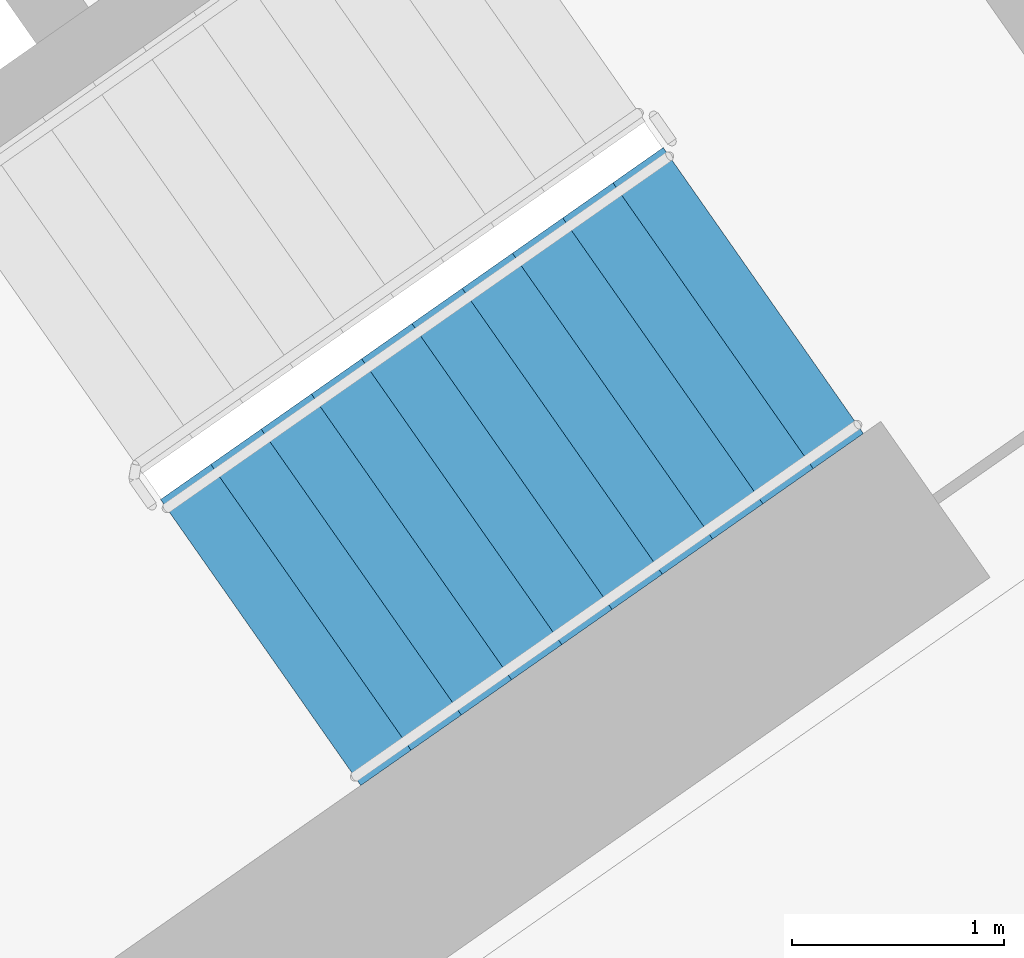
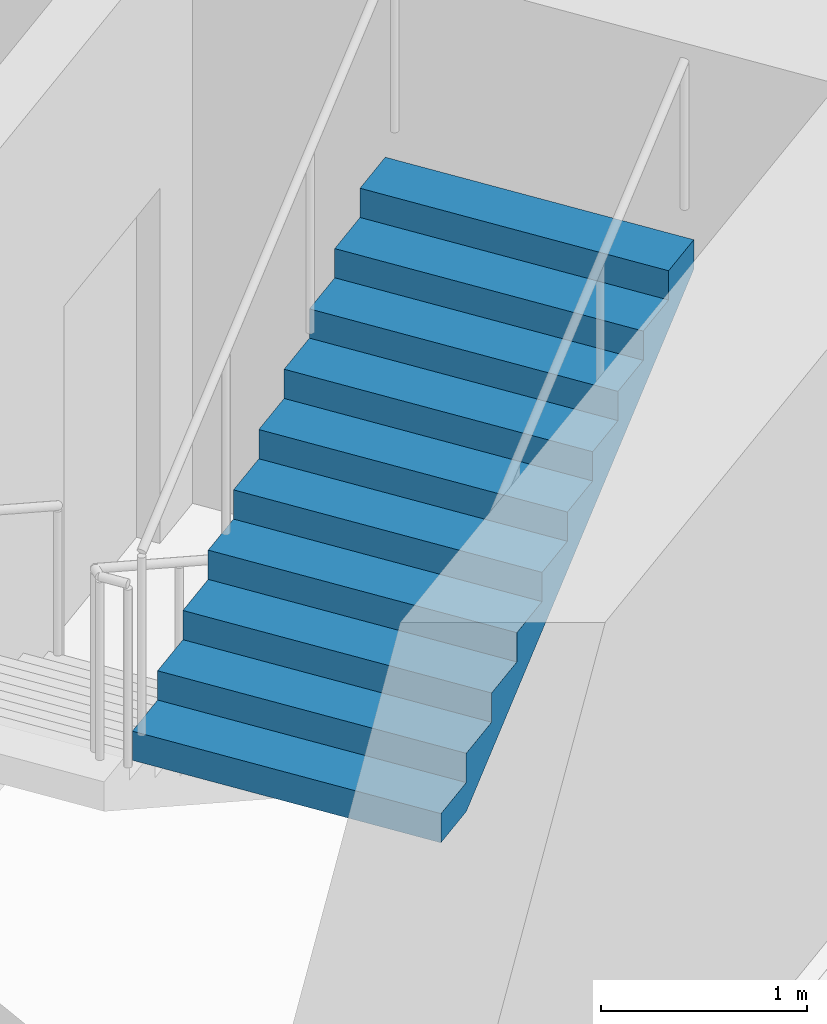
# One storey, part 15 of 31: 1 stair flight, 1 element without a shape of its own.
"""IFC4 building model written with IfcOpenShell, lengths in metres."""

from ifc_helpers import new_model, si_unit, direction, frame, origin, place, context, subcontext, project, spatial, faceted_brep, material, type_object, element, aggregate, save


model = new_model("IFC4")

# Units and contexts
model_context = context("Model", 3, precision=1e-05, world=origin(), true_north=direction((0.0, 1.0)))
body_context = subcontext(model_context, "Body", "Model", "MODEL_VIEW")
ifc_project = project(units=[si_unit("LENGTHUNIT", "METRE"), si_unit("AREAUNIT", "SQUARE_METRE"), si_unit("VOLUMEUNIT", "CUBIC_METRE"), si_unit("PLANEANGLEUNIT", "RADIAN"), si_unit("MASSUNIT", "GRAM", prefix="KILO")], contexts=[model_context])

# Site, building, storey
site_placement = place(None, origin())
site = spatial("IfcSite", under=ifc_project, at=site_placement, CompositionType="ELEMENT")
building_placement = place(site_placement, origin())
building = spatial("IfcBuilding", under=site, at=building_placement, Name="Qamariyya Broadcast Tower", CompositionType="ELEMENT")
storey_placement = place(building_placement, frame((0.0, 0.0, 82.300048828125)))
storey = spatial("IfcBuildingStorey", under=building, at=storey_placement, Name="L17", CompositionType="ELEMENT", Elevation=82.300048828125)

# Stair, stair flight
ifc_material = material(Name="Concrete C50/60", Category="concrete")
stair_type = type_object("IfcStairType", Name="Exit stair 22 risers of 173 mm", PredefinedType="HALF_TURN_STAIR", material=ifc_material)
stair_placement = place(storey_placement, origin())
stair = element("IfcStair", 1, at=stair_placement, inside=storey, type_object=stair_type, Name="L17 Stair E1", PredefinedType="HALF_TURN_STAIR")
stair_flight_type = type_object("IfcStairFlightType", Name="Exit stair flight 11 risers of 173 mm", PredefinedType="STRAIGHT", material=ifc_material)
stair_flight_placement = place(storey_placement, frame((44.693359375, -58.64599609375, 1.89990234375), z_axis=(0.0, 0.0, 1.0), x_axis=(0.819152044289, 0.573576436351, 0.0)))
stair_flight = element("IfcStairFlight", 2, at=stair_flight_placement, type_object=stair_flight_type, Name="ST-E1 flight 2", NumberOfRisers=11, NumberOfTreads=10, PredefinedType="STRAIGHT", RiserHeight=0.172727273, TreadLength=0.29, context=body_context, shape_type="Brep", body=[
    faceted_brep([(0.0, 0.824951171875, 0.0), (0.0, 0.824951171875, 0.172607421875), (0.2900390625, 0.824951171875, 0.172607421875), (0.2900390625, 0.824951171875, 0.345458984375), (0.580078125, 0.824951171875, 0.345458984375), (0.580078125, 0.824951171875, 0.51806640625), (0.8701171875, 0.824951171875, 0.51806640625), (0.8701171875, 0.824951171875, 0.69091796875), (1.159912109375, 0.824951171875, 0.69091796875), (1.159912109375, 0.824951171875, 0.863525390625), (1.449951171875, 0.824951171875, 0.863525390625), (1.449951171875, 0.824951171875, 1.036376953125), (1.739990234375, 0.824951171875, 1.036376953125), (1.739990234375, 0.824951171875, 1.208984375), (2.030029296875, 0.824951171875, 1.208984375), (2.030029296875, 0.824951171875, 1.3818359375), (2.320068359375, 0.824951171875, 1.3818359375), (2.320068359375, 0.824951171875, 1.554443359375), (2.610107421875, 0.824951171875, 1.554443359375), (2.610107421875, 0.824951171875, 1.727294921875), (2.89990234375, 0.824951171875, 1.727294921875), (2.89990234375, 0.824951171875, 1.552734375), (0.29296875, 0.824951171875, 0.0), (0.29296875, -0.824951171875, 0.0), (2.89990234375, -0.824951171875, 1.552734375), (2.89990234375, -0.824951171875, 1.727294921875), (2.610107421875, -0.824951171875, 1.727294921875), (2.610107421875, -0.824951171875, 1.554443359375), (2.320068359375, -0.824951171875, 1.554443359375), (2.320068359375, -0.824951171875, 1.3818359375), (2.030029296875, -0.824951171875, 1.3818359375), (2.030029296875, -0.824951171875, 1.208984375), (1.739990234375, -0.824951171875, 1.208984375), (1.739990234375, -0.824951171875, 1.036376953125), (1.449951171875, -0.824951171875, 1.036376953125), (1.449951171875, -0.824951171875, 0.863525390625), (1.159912109375, -0.824951171875, 0.863525390625), (1.159912109375, -0.824951171875, 0.69091796875), (0.8701171875, -0.824951171875, 0.69091796875), (0.8701171875, -0.824951171875, 0.51806640625), (0.580078125, -0.824951171875, 0.51806640625), (0.580078125, -0.824951171875, 0.345458984375), (0.2900390625, -0.824951171875, 0.345458984375), (0.2900390625, -0.824951171875, 0.172607421875), (0.0, -0.824951171875, 0.172607421875), (0.0, -0.824951171875, 0.0), (0.0, 0.10009765625, 0.0), (0.0, 0.086669921875, 0.0), (0.0, 0.0732421875, 0.0), (0.0, 0.06005859375, 0.0), (0.0, 0.046630859375, 0.0), (0.0, 0.033447265625, 0.0), (0.0, 0.02001953125, 0.0), (0.0, 0.006591796875, 0.0), (0.0, -0.006591796875, 0.0), (0.0, -0.02001953125, 0.0), (0.0, -0.033447265625, 0.0), (0.0, -0.046630859375, 0.0), (0.0, -0.06005859375, 0.0), (0.0, -0.0732421875, 0.0), (0.0, -0.086669921875, 0.0), (0.0, -0.10009765625, 0.0), (0.0, -0.10009765625, 0.172607421875), (0.0, -0.086669921875, 0.172607421875), (0.0, -0.0732421875, 0.172607421875), (0.0, -0.06005859375, 0.172607421875), (0.0, -0.046630859375, 0.172607421875), (0.0, -0.033447265625, 0.172607421875), (0.0, -0.02001953125, 0.172607421875), (0.0, -0.006591796875, 0.172607421875), (0.0, 0.006591796875, 0.172607421875), (0.0, 0.02001953125, 0.172607421875), (0.0, 0.033447265625, 0.172607421875), (0.0, 0.046630859375, 0.172607421875), (0.0, 0.06005859375, 0.172607421875), (0.0, 0.0732421875, 0.172607421875), (0.0, 0.086669921875, 0.172607421875), (0.0, 0.10009765625, 0.172607421875), (0.2900390625, -0.10009765625, 0.172607421875), (0.2900390625, -0.086669921875, 0.172607421875), (0.2900390625, -0.0732421875, 0.172607421875), (0.2900390625, -0.06005859375, 0.172607421875), (0.2900390625, -0.046630859375, 0.172607421875), (0.2900390625, -0.033447265625, 0.172607421875), (0.2900390625, -0.02001953125, 0.172607421875), (0.2900390625, -0.006591796875, 0.172607421875), (0.2900390625, 0.006591796875, 0.172607421875), (0.2900390625, 0.02001953125, 0.172607421875), (0.2900390625, 0.033447265625, 0.172607421875), (0.2900390625, 0.046630859375, 0.172607421875), (0.2900390625, 0.06005859375, 0.172607421875), (0.2900390625, 0.0732421875, 0.172607421875), (0.2900390625, 0.086669921875, 0.172607421875), (0.2900390625, 0.10009765625, 0.172607421875), (0.2900390625, -0.10009765625, 0.345458984375), (0.2900390625, -0.086669921875, 0.345458984375), (0.2900390625, -0.0732421875, 0.345458984375), (0.2900390625, -0.06005859375, 0.345458984375), (0.2900390625, -0.046630859375, 0.345458984375), (0.2900390625, -0.033447265625, 0.345458984375), (0.2900390625, -0.02001953125, 0.345458984375), (0.2900390625, -0.006591796875, 0.345458984375), (0.2900390625, 0.006591796875, 0.345458984375), (0.2900390625, 0.02001953125, 0.345458984375), (0.2900390625, 0.033447265625, 0.345458984375), (0.2900390625, 0.046630859375, 0.345458984375), (0.2900390625, 0.06005859375, 0.345458984375), (0.2900390625, 0.0732421875, 0.345458984375), (0.2900390625, 0.086669921875, 0.345458984375), (0.2900390625, 0.10009765625, 0.345458984375), (0.580078125, -0.10009765625, 0.345458984375), (0.580078125, -0.086669921875, 0.345458984375), (0.580078125, -0.0732421875, 0.345458984375), (0.580078125, -0.06005859375, 0.345458984375), (0.580078125, -0.046630859375, 0.345458984375), (0.580078125, -0.033447265625, 0.345458984375), (0.580078125, -0.02001953125, 0.345458984375), (0.580078125, -0.006591796875, 0.345458984375), (0.580078125, 0.006591796875, 0.345458984375), (0.580078125, 0.02001953125, 0.345458984375), (0.580078125, 0.033447265625, 0.345458984375), (0.580078125, 0.046630859375, 0.345458984375), (0.580078125, 0.06005859375, 0.345458984375), (0.580078125, 0.0732421875, 0.345458984375), (0.580078125, 0.086669921875, 0.345458984375), (0.580078125, 0.10009765625, 0.345458984375), (0.580078125, -0.10009765625, 0.51806640625), (0.580078125, -0.086669921875, 0.51806640625), (0.580078125, -0.0732421875, 0.51806640625), (0.580078125, -0.06005859375, 0.51806640625), (0.580078125, -0.046630859375, 0.51806640625), (0.580078125, -0.033447265625, 0.51806640625), (0.580078125, -0.02001953125, 0.51806640625), (0.580078125, -0.006591796875, 0.51806640625), (0.580078125, 0.006591796875, 0.51806640625), (0.580078125, 0.02001953125, 0.51806640625), (0.580078125, 0.033447265625, 0.51806640625), (0.580078125, 0.046630859375, 0.51806640625), (0.580078125, 0.06005859375, 0.51806640625), (0.580078125, 0.0732421875, 0.51806640625), (0.580078125, 0.086669921875, 0.51806640625), (0.580078125, 0.10009765625, 0.51806640625), (0.8701171875, -0.10009765625, 0.51806640625), (0.8701171875, -0.086669921875, 0.51806640625), (0.8701171875, -0.0732421875, 0.51806640625), (0.8701171875, -0.06005859375, 0.51806640625), (0.8701171875, -0.046630859375, 0.51806640625), (0.8701171875, -0.033447265625, 0.51806640625), (0.8701171875, -0.02001953125, 0.51806640625), (0.8701171875, -0.006591796875, 0.51806640625), (0.8701171875, 0.006591796875, 0.51806640625), (0.8701171875, 0.02001953125, 0.51806640625), (0.8701171875, 0.033447265625, 0.51806640625), (0.8701171875, 0.046630859375, 0.51806640625), (0.8701171875, 0.06005859375, 0.51806640625), (0.8701171875, 0.0732421875, 0.51806640625), (0.8701171875, 0.086669921875, 0.51806640625), (0.8701171875, 0.10009765625, 0.51806640625), (0.8701171875, -0.10009765625, 0.69091796875), (0.8701171875, -0.086669921875, 0.69091796875), (0.8701171875, -0.0732421875, 0.69091796875), (0.8701171875, -0.06005859375, 0.69091796875), (0.8701171875, -0.046630859375, 0.69091796875), (0.8701171875, -0.033447265625, 0.69091796875), (0.8701171875, -0.02001953125, 0.69091796875), (0.8701171875, -0.006591796875, 0.69091796875), (0.8701171875, 0.006591796875, 0.69091796875), (0.8701171875, 0.02001953125, 0.69091796875), (0.8701171875, 0.033447265625, 0.69091796875), (0.8701171875, 0.046630859375, 0.69091796875), (0.8701171875, 0.06005859375, 0.69091796875), (0.8701171875, 0.0732421875, 0.69091796875), (0.8701171875, 0.086669921875, 0.69091796875), (0.8701171875, 0.10009765625, 0.69091796875), (1.159912109375, -0.10009765625, 0.69091796875), (1.159912109375, -0.086669921875, 0.69091796875), (1.159912109375, -0.0732421875, 0.69091796875), (1.159912109375, -0.06005859375, 0.69091796875), (1.159912109375, -0.046630859375, 0.69091796875), (1.159912109375, -0.033447265625, 0.69091796875), (1.159912109375, -0.02001953125, 0.69091796875), (1.159912109375, -0.006591796875, 0.69091796875), (1.159912109375, 0.006591796875, 0.69091796875), (1.159912109375, 0.02001953125, 0.69091796875), (1.159912109375, 0.033447265625, 0.69091796875), (1.159912109375, 0.046630859375, 0.69091796875), (1.159912109375, 0.06005859375, 0.69091796875), (1.159912109375, 0.0732421875, 0.69091796875), (1.159912109375, 0.086669921875, 0.69091796875), (1.159912109375, 0.10009765625, 0.69091796875), (1.159912109375, -0.10009765625, 0.863525390625), (1.159912109375, -0.086669921875, 0.863525390625), (1.159912109375, -0.0732421875, 0.863525390625), (1.159912109375, -0.06005859375, 0.863525390625), (1.159912109375, -0.046630859375, 0.863525390625), (1.159912109375, -0.033447265625, 0.863525390625), (1.159912109375, -0.02001953125, 0.863525390625), (1.159912109375, -0.006591796875, 0.863525390625), (1.159912109375, 0.006591796875, 0.863525390625), (1.159912109375, 0.02001953125, 0.863525390625), (1.159912109375, 0.033447265625, 0.863525390625), (1.159912109375, 0.046630859375, 0.863525390625), (1.159912109375, 0.06005859375, 0.863525390625), (1.159912109375, 0.0732421875, 0.863525390625), (1.159912109375, 0.086669921875, 0.863525390625), (1.159912109375, 0.10009765625, 0.863525390625), (1.449951171875, -0.10009765625, 0.863525390625), (1.449951171875, -0.086669921875, 0.863525390625), (1.449951171875, -0.0732421875, 0.863525390625), (1.449951171875, -0.06005859375, 0.863525390625), (1.449951171875, -0.046630859375, 0.863525390625), (1.449951171875, -0.033447265625, 0.863525390625), (1.449951171875, -0.02001953125, 0.863525390625), (1.449951171875, -0.006591796875, 0.863525390625), (1.449951171875, 0.006591796875, 0.863525390625), (1.449951171875, 0.02001953125, 0.863525390625), (1.449951171875, 0.033447265625, 0.863525390625), (1.449951171875, 0.046630859375, 0.863525390625), (1.449951171875, 0.06005859375, 0.863525390625), (1.449951171875, 0.0732421875, 0.863525390625), (1.449951171875, 0.086669921875, 0.863525390625), (1.449951171875, 0.10009765625, 0.863525390625), (1.449951171875, -0.10009765625, 1.036376953125), (1.449951171875, -0.086669921875, 1.036376953125), (1.449951171875, -0.0732421875, 1.036376953125), (1.449951171875, -0.06005859375, 1.036376953125), (1.449951171875, -0.046630859375, 1.036376953125), (1.449951171875, -0.033447265625, 1.036376953125), (1.449951171875, -0.02001953125, 1.036376953125), (1.449951171875, -0.006591796875, 1.036376953125), (1.449951171875, 0.006591796875, 1.036376953125), (1.449951171875, 0.02001953125, 1.036376953125), (1.449951171875, 0.033447265625, 1.036376953125), (1.449951171875, 0.046630859375, 1.036376953125), (1.449951171875, 0.06005859375, 1.036376953125), (1.449951171875, 0.0732421875, 1.036376953125), (1.449951171875, 0.086669921875, 1.036376953125), (1.449951171875, 0.10009765625, 1.036376953125), (1.739990234375, -0.10009765625, 1.036376953125), (1.739990234375, -0.086669921875, 1.036376953125), (1.739990234375, -0.0732421875, 1.036376953125), (1.739990234375, -0.06005859375, 1.036376953125), (1.739990234375, -0.046630859375, 1.036376953125), (1.739990234375, -0.033447265625, 1.036376953125), (1.739990234375, -0.02001953125, 1.036376953125), (1.739990234375, -0.006591796875, 1.036376953125), (1.739990234375, 0.006591796875, 1.036376953125), (1.739990234375, 0.02001953125, 1.036376953125), (1.739990234375, 0.033447265625, 1.036376953125), (1.739990234375, 0.046630859375, 1.036376953125), (1.739990234375, 0.06005859375, 1.036376953125), (1.739990234375, 0.0732421875, 1.036376953125), (1.739990234375, 0.086669921875, 1.036376953125), (1.739990234375, 0.10009765625, 1.036376953125), (1.739990234375, -0.10009765625, 1.208984375), (1.739990234375, -0.086669921875, 1.208984375), (1.739990234375, -0.0732421875, 1.208984375), (1.739990234375, -0.06005859375, 1.208984375), (1.739990234375, -0.046630859375, 1.208984375), (1.739990234375, -0.033447265625, 1.208984375), (1.739990234375, -0.02001953125, 1.208984375), (1.739990234375, -0.006591796875, 1.208984375), (1.739990234375, 0.006591796875, 1.208984375), (1.739990234375, 0.02001953125, 1.208984375), (1.739990234375, 0.033447265625, 1.208984375), (1.739990234375, 0.046630859375, 1.208984375), (1.739990234375, 0.06005859375, 1.208984375), (1.739990234375, 0.0732421875, 1.208984375), (1.739990234375, 0.086669921875, 1.208984375), (1.739990234375, 0.10009765625, 1.208984375), (2.030029296875, -0.10009765625, 1.208984375), (2.030029296875, -0.086669921875, 1.208984375), (2.030029296875, -0.0732421875, 1.208984375), (2.030029296875, -0.06005859375, 1.208984375), (2.030029296875, -0.046630859375, 1.208984375), (2.030029296875, -0.033447265625, 1.208984375), (2.030029296875, -0.02001953125, 1.208984375), (2.030029296875, -0.006591796875, 1.208984375), (2.030029296875, 0.006591796875, 1.208984375), (2.030029296875, 0.02001953125, 1.208984375), (2.030029296875, 0.033447265625, 1.208984375), (2.030029296875, 0.046630859375, 1.208984375), (2.030029296875, 0.06005859375, 1.208984375), (2.030029296875, 0.0732421875, 1.208984375), (2.030029296875, 0.086669921875, 1.208984375), (2.030029296875, 0.10009765625, 1.208984375), (2.030029296875, -0.10009765625, 1.3818359375), (2.030029296875, -0.086669921875, 1.3818359375), (2.030029296875, -0.0732421875, 1.3818359375), (2.030029296875, -0.06005859375, 1.3818359375), (2.030029296875, -0.046630859375, 1.3818359375), (2.030029296875, -0.033447265625, 1.3818359375), (2.030029296875, -0.02001953125, 1.3818359375), (2.030029296875, -0.006591796875, 1.3818359375), (2.030029296875, 0.006591796875, 1.3818359375), (2.030029296875, 0.02001953125, 1.3818359375), (2.030029296875, 0.033447265625, 1.3818359375), (2.030029296875, 0.046630859375, 1.3818359375), (2.030029296875, 0.06005859375, 1.3818359375), (2.030029296875, 0.0732421875, 1.3818359375), (2.030029296875, 0.086669921875, 1.3818359375), (2.030029296875, 0.10009765625, 1.3818359375), (2.320068359375, -0.10009765625, 1.3818359375), (2.320068359375, -0.086669921875, 1.3818359375), (2.320068359375, -0.0732421875, 1.3818359375), (2.320068359375, -0.06005859375, 1.3818359375), (2.320068359375, -0.046630859375, 1.3818359375), (2.320068359375, -0.033447265625, 1.3818359375), (2.320068359375, -0.02001953125, 1.3818359375), (2.320068359375, -0.006591796875, 1.3818359375), (2.320068359375, 0.006591796875, 1.3818359375), (2.320068359375, 0.02001953125, 1.3818359375), (2.320068359375, 0.033447265625, 1.3818359375), (2.320068359375, 0.046630859375, 1.3818359375), (2.320068359375, 0.06005859375, 1.3818359375), (2.320068359375, 0.0732421875, 1.3818359375), (2.320068359375, 0.086669921875, 1.3818359375), (2.320068359375, 0.10009765625, 1.3818359375), (2.320068359375, -0.10009765625, 1.554443359375), (2.320068359375, -0.086669921875, 1.554443359375), (2.320068359375, -0.0732421875, 1.554443359375), (2.320068359375, -0.06005859375, 1.554443359375), (2.320068359375, -0.046630859375, 1.554443359375), (2.320068359375, -0.033447265625, 1.554443359375), (2.320068359375, -0.02001953125, 1.554443359375), (2.320068359375, -0.006591796875, 1.554443359375), (2.320068359375, 0.006591796875, 1.554443359375), (2.320068359375, 0.02001953125, 1.554443359375), (2.320068359375, 0.033447265625, 1.554443359375), (2.320068359375, 0.046630859375, 1.554443359375), (2.320068359375, 0.06005859375, 1.554443359375), (2.320068359375, 0.0732421875, 1.554443359375), (2.320068359375, 0.086669921875, 1.554443359375), (2.320068359375, 0.10009765625, 1.554443359375), (2.610107421875, -0.10009765625, 1.554443359375), (2.610107421875, -0.086669921875, 1.554443359375), (2.610107421875, -0.0732421875, 1.554443359375), (2.610107421875, -0.06005859375, 1.554443359375), (2.610107421875, -0.046630859375, 1.554443359375), (2.610107421875, -0.033447265625, 1.554443359375), (2.610107421875, -0.02001953125, 1.554443359375), (2.610107421875, -0.006591796875, 1.554443359375), (2.610107421875, 0.006591796875, 1.554443359375), (2.610107421875, 0.02001953125, 1.554443359375), (2.610107421875, 0.033447265625, 1.554443359375), (2.610107421875, 0.046630859375, 1.554443359375), (2.610107421875, 0.06005859375, 1.554443359375), (2.610107421875, 0.0732421875, 1.554443359375), (2.610107421875, 0.086669921875, 1.554443359375), (2.610107421875, 0.10009765625, 1.554443359375), (2.610107421875, -0.10009765625, 1.727294921875), (2.610107421875, -0.086669921875, 1.727294921875), (2.610107421875, -0.0732421875, 1.727294921875), (2.610107421875, -0.06005859375, 1.727294921875), (2.610107421875, -0.046630859375, 1.727294921875), (2.610107421875, -0.033447265625, 1.727294921875), (2.610107421875, -0.02001953125, 1.727294921875), (2.610107421875, -0.006591796875, 1.727294921875), (2.610107421875, 0.006591796875, 1.727294921875), (2.610107421875, 0.02001953125, 1.727294921875), (2.610107421875, 0.033447265625, 1.727294921875), (2.610107421875, 0.046630859375, 1.727294921875), (2.610107421875, 0.06005859375, 1.727294921875), (2.610107421875, 0.0732421875, 1.727294921875), (2.610107421875, 0.086669921875, 1.727294921875), (2.610107421875, 0.10009765625, 1.727294921875), (2.89990234375, -0.10009765625, 1.727294921875), (2.89990234375, -0.086669921875, 1.727294921875), (2.89990234375, -0.0732421875, 1.727294921875), (2.89990234375, -0.06005859375, 1.727294921875), (2.89990234375, -0.046630859375, 1.727294921875), (2.89990234375, -0.033447265625, 1.727294921875), (2.89990234375, -0.02001953125, 1.727294921875), (2.89990234375, -0.006591796875, 1.727294921875), (2.89990234375, 0.006591796875, 1.727294921875), (2.89990234375, 0.02001953125, 1.727294921875), (2.89990234375, 0.033447265625, 1.727294921875), (2.89990234375, 0.046630859375, 1.727294921875), (2.89990234375, 0.06005859375, 1.727294921875), (2.89990234375, 0.0732421875, 1.727294921875), (2.89990234375, 0.086669921875, 1.727294921875), (2.89990234375, 0.10009765625, 1.727294921875), (2.89990234375, -0.10009765625, 1.552734375), (2.89990234375, -0.086669921875, 1.552734375), (2.89990234375, -0.0732421875, 1.552734375), (2.89990234375, -0.06005859375, 1.552734375), (2.89990234375, -0.046630859375, 1.552734375), (2.89990234375, -0.033447265625, 1.552734375), (2.89990234375, -0.02001953125, 1.552734375), (2.89990234375, -0.006591796875, 1.552734375), (2.89990234375, 0.006591796875, 1.552734375), (2.89990234375, 0.02001953125, 1.552734375), (2.89990234375, 0.033447265625, 1.552734375), (2.89990234375, 0.046630859375, 1.552734375), (2.89990234375, 0.06005859375, 1.552734375), (2.89990234375, 0.0732421875, 1.552734375), (2.89990234375, 0.086669921875, 1.552734375), (2.89990234375, 0.10009765625, 1.552734375), (0.29296875, -0.10009765625, 0.0), (0.29296875, -0.086669921875, 0.0), (0.29296875, -0.0732421875, 0.0), (0.29296875, -0.06005859375, 0.0), (0.29296875, -0.046630859375, 0.0), (0.29296875, -0.033447265625, 0.0), (0.29296875, -0.02001953125, 0.0), (0.29296875, -0.006591796875, 0.0), (0.29296875, 0.006591796875, 0.0), (0.29296875, 0.02001953125, 0.0), (0.29296875, 0.033447265625, 0.0), (0.29296875, 0.046630859375, 0.0), (0.29296875, 0.06005859375, 0.0), (0.29296875, 0.0732421875, 0.0), (0.29296875, 0.086669921875, 0.0), (0.29296875, 0.10009765625, 0.0)], [[[0, 1, 2, 3, 4, 5, 6, 7, 8, 9, 10, 11, 12, 13, 14, 15, 16, 17, 18, 19, 20, 21, 22]], [[23, 24, 25, 26, 27, 28, 29, 30, 31, 32, 33, 34, 35, 36, 37, 38, 39, 40, 41, 42, 43, 44, 45]], [[0, 46, 47, 48, 49, 50, 51, 52, 53, 54, 55, 56, 57, 58, 59, 60, 61, 45, 44, 62, 63, 64, 65, 66, 67, 68, 69, 70, 71, 72, 73, 74, 75, 76, 77, 1]], [[1, 77, 76, 75, 74, 73, 72, 71, 70, 69, 68, 67, 66, 65, 64, 63, 62, 44, 43, 78, 79, 80, 81, 82, 83, 84, 85, 86, 87, 88, 89, 90, 91, 92, 93, 2]], [[2, 93, 92, 91, 90, 89, 88, 87, 86, 85, 84, 83, 82, 81, 80, 79, 78, 43, 42, 94, 95, 96, 97, 98, 99, 100, 101, 102, 103, 104, 105, 106, 107, 108, 109, 3]], [[3, 109, 108, 107, 106, 105, 104, 103, 102, 101, 100, 99, 98, 97, 96, 95, 94, 42, 41, 110, 111, 112, 113, 114, 115, 116, 117, 118, 119, 120, 121, 122, 123, 124, 125, 4]], [[4, 125, 124, 123, 122, 121, 120, 119, 118, 117, 116, 115, 114, 113, 112, 111, 110, 41, 40, 126, 127, 128, 129, 130, 131, 132, 133, 134, 135, 136, 137, 138, 139, 140, 141, 5]], [[5, 141, 140, 139, 138, 137, 136, 135, 134, 133, 132, 131, 130, 129, 128, 127, 126, 40, 39, 142, 143, 144, 145, 146, 147, 148, 149, 150, 151, 152, 153, 154, 155, 156, 157, 6]], [[6, 157, 156, 155, 154, 153, 152, 151, 150, 149, 148, 147, 146, 145, 144, 143, 142, 39, 38, 158, 159, 160, 161, 162, 163, 164, 165, 166, 167, 168, 169, 170, 171, 172, 173, 7]], [[7, 173, 172, 171, 170, 169, 168, 167, 166, 165, 164, 163, 162, 161, 160, 159, 158, 38, 37, 174, 175, 176, 177, 178, 179, 180, 181, 182, 183, 184, 185, 186, 187, 188, 189, 8]], [[8, 189, 188, 187, 186, 185, 184, 183, 182, 181, 180, 179, 178, 177, 176, 175, 174, 37, 36, 190, 191, 192, 193, 194, 195, 196, 197, 198, 199, 200, 201, 202, 203, 204, 205, 9]], [[9, 205, 204, 203, 202, 201, 200, 199, 198, 197, 196, 195, 194, 193, 192, 191, 190, 36, 35, 206, 207, 208, 209, 210, 211, 212, 213, 214, 215, 216, 217, 218, 219, 220, 221, 10]], [[10, 221, 220, 219, 218, 217, 216, 215, 214, 213, 212, 211, 210, 209, 208, 207, 206, 35, 34, 222, 223, 224, 225, 226, 227, 228, 229, 230, 231, 232, 233, 234, 235, 236, 237, 11]], [[11, 237, 236, 235, 234, 233, 232, 231, 230, 229, 228, 227, 226, 225, 224, 223, 222, 34, 33, 238, 239, 240, 241, 242, 243, 244, 245, 246, 247, 248, 249, 250, 251, 252, 253, 12]], [[12, 253, 252, 251, 250, 249, 248, 247, 246, 245, 244, 243, 242, 241, 240, 239, 238, 33, 32, 254, 255, 256, 257, 258, 259, 260, 261, 262, 263, 264, 265, 266, 267, 268, 269, 13]], [[13, 269, 268, 267, 266, 265, 264, 263, 262, 261, 260, 259, 258, 257, 256, 255, 254, 32, 31, 270, 271, 272, 273, 274, 275, 276, 277, 278, 279, 280, 281, 282, 283, 284, 285, 14]], [[14, 285, 284, 283, 282, 281, 280, 279, 278, 277, 276, 275, 274, 273, 272, 271, 270, 31, 30, 286, 287, 288, 289, 290, 291, 292, 293, 294, 295, 296, 297, 298, 299, 300, 301, 15]], [[15, 301, 300, 299, 298, 297, 296, 295, 294, 293, 292, 291, 290, 289, 288, 287, 286, 30, 29, 302, 303, 304, 305, 306, 307, 308, 309, 310, 311, 312, 313, 314, 315, 316, 317, 16]], [[16, 317, 316, 315, 314, 313, 312, 311, 310, 309, 308, 307, 306, 305, 304, 303, 302, 29, 28, 318, 319, 320, 321, 322, 323, 324, 325, 326, 327, 328, 329, 330, 331, 332, 333, 17]], [[17, 333, 332, 331, 330, 329, 328, 327, 326, 325, 324, 323, 322, 321, 320, 319, 318, 28, 27, 334, 335, 336, 337, 338, 339, 340, 341, 342, 343, 344, 345, 346, 347, 348, 349, 18]], [[18, 349, 348, 347, 346, 345, 344, 343, 342, 341, 340, 339, 338, 337, 336, 335, 334, 27, 26, 350, 351, 352, 353, 354, 355, 356, 357, 358, 359, 360, 361, 362, 363, 364, 365, 19]], [[19, 365, 364, 363, 362, 361, 360, 359, 358, 357, 356, 355, 354, 353, 352, 351, 350, 26, 25, 366, 367, 368, 369, 370, 371, 372, 373, 374, 375, 376, 377, 378, 379, 380, 381, 20]], [[20, 381, 380, 379, 378, 377, 376, 375, 374, 373, 372, 371, 370, 369, 368, 367, 366, 25, 24, 382, 383, 384, 385, 386, 387, 388, 389, 390, 391, 392, 393, 394, 395, 396, 397, 21]], [[21, 397, 396, 395, 394, 393, 392, 391, 390, 389, 388, 387, 386, 385, 384, 383, 382, 24, 23, 398, 399, 400, 401, 402, 403, 404, 405, 406, 407, 408, 409, 410, 411, 412, 413, 22]], [[22, 413, 412, 411, 410, 409, 408, 407, 406, 405, 404, 403, 402, 401, 400, 399, 398, 23, 45, 61, 60, 59, 58, 57, 56, 55, 54, 53, 52, 51, 50, 49, 48, 47, 46, 0]]]),
])
aggregate(stair, [stair_flight])

save(model, "model.ifc")
